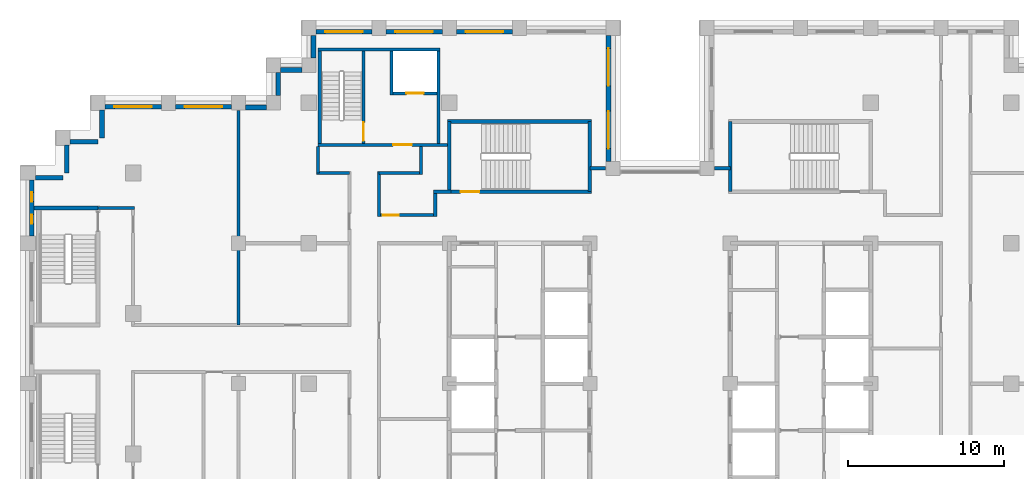
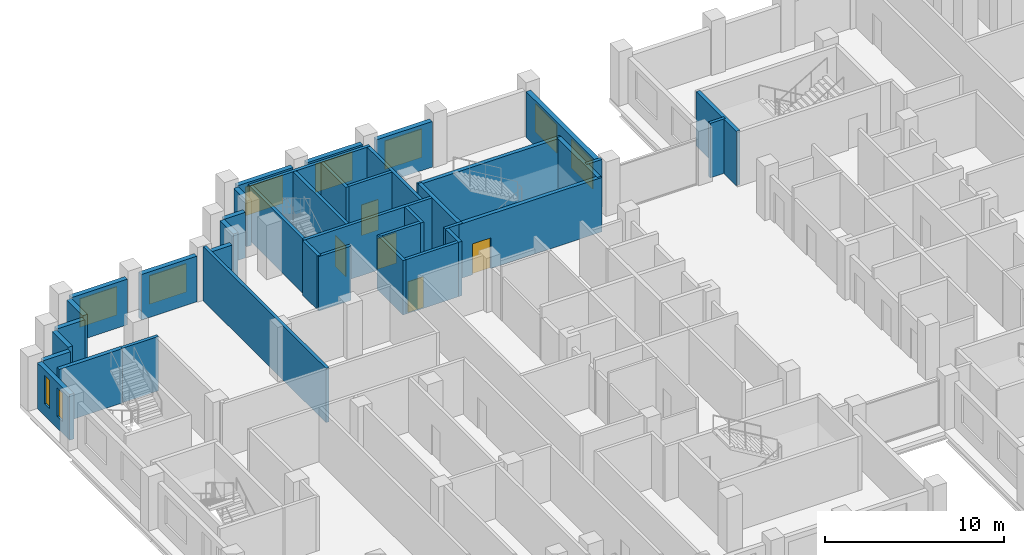
# One storey, part 10 of 15: 40 walls, 9 windows, 5 doors, 14 openings.
"""IFC4 building model written with IfcOpenShell, lengths in metres."""

from ifc_helpers import new_model, si_unit, direction, frame, frame_2d, origin, place, context, subcontext, project, spatial, rectangle, extrude, material, layer, layer_set, type_object, element, fill, save


model = new_model("IFC4")

# Units and contexts
model_context = context("Model", 3, precision=1e-05, world=origin(), true_north=direction((0.0, 1.0)))
body_context = subcontext(model_context, "Body", "Model", "MODEL_VIEW")
ifc_project = project(units=[si_unit("LENGTHUNIT", "METRE"), si_unit("AREAUNIT", "SQUARE_METRE"), si_unit("VOLUMEUNIT", "CUBIC_METRE"), si_unit("PLANEANGLEUNIT", "RADIAN"), si_unit("MASSUNIT", "GRAM", prefix="KILO")], contexts=[model_context])

# Site, building, storey
site_placement = place(None, origin())
site = spatial("IfcSite", under=ifc_project, at=site_placement, CompositionType="ELEMENT")
building_placement = place(site_placement, origin())
building = spatial("IfcBuilding", under=site, at=building_placement, Name="Corbelhall Arena Tower", CompositionType="ELEMENT")
storey_placement = place(building_placement, frame((0.0, 0.0, 220.0)))
storey = spatial("IfcBuildingStorey", under=building, at=storey_placement, Name="L46", CompositionType="ELEMENT", Elevation=220.0)

# Walls
ifc_material_1 = material(Name="Precast concrete C40/50 with granite facing", Category="masonry")
ifc_layer_1 = layer(ifc_material_1, 0.300048828125)
ifc_layer_set_1 = layer_set([ifc_layer_1], Name="EV-IW1 Infill panel 300")
wall_type_1 = type_object("IfcWallType", Name="EV-IW1 Infill panel 300", PredefinedType="SOLIDWALL", material=ifc_layer_set_1)
for number, where, z_axis, x_axis, name in (
    (1, (-35.75, 17.550048828125, 0.0), (0.0, 0.0, 1.0), (0.0, -1.0, 0.0), "Infill panel IW1"),
    (2, (-37.800048828125, 15.5, 0.0), (0.0, 0.0, 1.0), (1.0, 0.0, 0.0), "Infill panel IW1"),
    (3, (-38.0, 15.300048828125, 0.0), (0.0, 0.0, 1.0), (0.0, -1.0, 0.0), "Infill panel IW1"),
):
    element("IfcWall", number, at=place(storey_placement, frame(where, z_axis=z_axis, x_axis=x_axis)), inside=storey, type_object=wall_type_1, Name=name, PredefinedType="SOLIDWALL", context=body_context, shape_type="SweptSolid", body=[
        extrude(rectangle(XDim=1.800048828125, YDim=0.300048828125, at=frame_2d((0.89990234375, 0.0))), origin(), (0.0, 0.0, 1.0), 3.1201171875),
    ])
wall_1_placement = place(storey_placement, frame((-40.0, 13.199951171875, 0.0), z_axis=(0.0, 0.0, 1.0), x_axis=(1.0, 0.0, 0.0)))
element("IfcWall", 4, at=wall_1_placement, inside=storey, type_object=wall_type_1, Name="Infill panel IW1", PredefinedType="SOLIDWALL", context=body_context, shape_type="SweptSolid", body=[
    extrude(rectangle(XDim=1.75, YDim=0.300048828125, at=frame_2d((0.875, 0.0))), origin(), (0.0, 0.0, 1.0), 3.1201171875),
])
wall_2_placement = place(storey_placement, frame((-22.949951171875, 20.10009765625, 0.0), z_axis=(0.0, 0.0, 1.0), x_axis=(-1.0, 0.0, 0.0)))
element("IfcWall", 5, at=wall_2_placement, inside=storey, type_object=wall_type_1, Name="Infill panel IW1", PredefinedType="SOLIDWALL", context=body_context, shape_type="SweptSolid", body=[
    extrude(rectangle(XDim=1.35009765625, YDim=0.300048828125, at=frame_2d((0.675048828125, 0.0))), origin(), (0.0, 0.0, 1.0), 3.1201171875),
])
wall_3_placement = place(storey_placement, frame((-24.449951171875, 19.949951171875, 0.0), z_axis=(0.0, 0.0, 1.0), x_axis=(0.0, -1.0, 0.0)))
element("IfcWall", 6, at=wall_3_placement, inside=storey, type_object=wall_type_1, Name="Infill panel IW1", PredefinedType="SOLIDWALL", context=body_context, shape_type="SweptSolid", body=[
    extrude(rectangle(XDim=1.5, YDim=0.300048828125, at=frame_2d((0.75, 0.0))), origin(), (0.0, 0.0, 1.0), 3.1201171875),
])
wall_4_placement = place(storey_placement, frame((-25.199951171875, 17.699951171875, 0.0), z_axis=(0.0, 0.0, 1.0), x_axis=(-1.0, 0.0, 0.0)))
element("IfcWall", 7, at=wall_4_placement, inside=storey, type_object=wall_type_1, Name="Infill panel IW1", PredefinedType="SOLIDWALL", context=body_context, shape_type="SweptSolid", body=[
    extrude(rectangle(XDim=1.35009765625, YDim=0.300048828125, at=frame_2d((0.675048828125, 0.0))), origin(), (0.0, 0.0, 1.0), 3.1201171875),
])

# Wall, opening, window
wall_5_placement = place(storey_placement, frame((-27.449951171875, 17.75, 0.0), z_axis=(0.0, 0.0, 1.0), x_axis=(-1.0, 0.0, 0.0)))
wall_5 = element("IfcWall", 8, at=wall_5_placement, inside=storey, type_object=wall_type_1, Name="Infill panel IW1", PredefinedType="SOLIDWALL", context=body_context, shape_type="SweptSolid", body=[
    extrude(rectangle(XDim=3.60009765625, YDim=0.300048828125, at=frame_2d((1.800048828125, 0.0))), origin(), (0.0, 0.0, 1.0), 3.1201171875),
])
opening_1_placement = place(wall_5_placement, frame((0.60009765625, 0.0, 0.800048828125)))
opening_1 = element("IfcOpeningElement", 9, at=opening_1_placement, cuts=wall_5, Name="Opening WN1", PredefinedType="OPENING", context=body_context, shape_type="SweptSolid", body=[
    extrude(rectangle(XDim=2.39990234375, YDim=1.949951171875, at=frame_2d((1.199951171875, 0.97509765625))), frame((0.0, 0.14990234375, 0.0), z_axis=(0.0, -1.0, 0.0), x_axis=(1.0, 0.0, 0.0)), (0.0, 0.0, 1.0), 0.300048828125),
])
ifc_material_2 = material(Name="Aluminium black anodised", Category="aluminium")
window_type_1 = type_object("IfcWindowType", Name="EV-WN1 Office window", PartitioningType="SINGLE_PANEL", PredefinedType="WINDOW", material=ifc_material_2)
window_1_placement = place(opening_1_placement, origin())
window_1 = element("IfcWindow", 10, at=window_1_placement, inside=storey, type_object=window_type_1, Name="Window WN1", OverallHeight=1.949951171875, OverallWidth=2.39990234375, PartitioningType="SINGLE_PANEL", PredefinedType="WINDOW", context=body_context, shape_type="SweptSolid", body=[
    extrude(rectangle(XDim=2.39990234375, YDim=1.949951171875, at=frame_2d((1.199951171875, 0.97509765625))), frame((0.0, 0.030029296875, 0.0), z_axis=(0.0, -1.0, 0.0), x_axis=(1.0, 0.0, 0.0)), (0.0, 0.0, 1.0), 0.06005859375),
])
fill(opening_1, window_1)

wall_6_placement = place(storey_placement, frame((-31.949951171875, 17.75, 0.0), z_axis=(0.0, 0.0, 1.0), x_axis=(-1.0, 0.0, 0.0)))
wall_6 = element("IfcWall", 11, at=wall_6_placement, inside=storey, type_object=wall_type_1, Name="Infill panel IW1", PredefinedType="SOLIDWALL", context=body_context, shape_type="SweptSolid", body=[
    extrude(rectangle(XDim=3.60009765625, YDim=0.300048828125, at=frame_2d((1.800048828125, 0.0))), origin(), (0.0, 0.0, 1.0), 3.1201171875),
])
opening_2_placement = place(wall_6_placement, frame((0.60009765625, 0.0, 0.800048828125)))
opening_2 = element("IfcOpeningElement", 12, at=opening_2_placement, cuts=wall_6, Name="Opening WN1", PredefinedType="OPENING", context=body_context, shape_type="SweptSolid", body=[
    extrude(rectangle(XDim=2.39990234375, YDim=1.949951171875, at=frame_2d((1.199951171875, 0.97509765625))), frame((0.0, 0.14990234375, 0.0), z_axis=(0.0, -1.0, 0.0), x_axis=(1.0, 0.0, 0.0)), (0.0, 0.0, 1.0), 0.300048828125),
])
window_2_placement = place(opening_2_placement, origin())
window_2 = element("IfcWindow", 13, at=window_2_placement, inside=storey, type_object=window_type_1, Name="Window WN1", OverallHeight=1.949951171875, OverallWidth=2.39990234375, PartitioningType="SINGLE_PANEL", PredefinedType="WINDOW", context=body_context, shape_type="SweptSolid", body=[
    extrude(rectangle(XDim=2.39990234375, YDim=1.949951171875, at=frame_2d((1.199951171875, 0.97509765625))), frame((0.0, 0.030029296875, 0.0), z_axis=(0.0, -1.0, 0.0), x_axis=(1.0, 0.0, 0.0)), (0.0, 0.0, 1.0), 0.06005859375),
])
fill(opening_2, window_2)

# Wall, openings, windows
wall_7_placement = place(storey_placement, frame((-40.25, 13.050048828125, 0.0), z_axis=(0.0, 0.0, 1.0), x_axis=(0.0, -1.0, 0.0)))
wall_7 = element("IfcWall", 14, at=wall_7_placement, inside=storey, type_object=wall_type_1, Name="Infill panel IW1", PredefinedType="SOLIDWALL", context=body_context, shape_type="SweptSolid", body=[
    extrude(rectangle(XDim=3.60009765625, YDim=0.300048828125, at=frame_2d((1.800048828125, 0.0))), origin(), (0.0, 0.0, 1.0), 3.1201171875),
])
opening_3_placement = place(wall_7_placement, frame((0.78759765625, 0.0, 0.800048828125)))
opening_3 = element("IfcOpeningElement", 15, at=opening_3_placement, cuts=wall_7, Name="Opening WN5", PredefinedType="OPENING", context=body_context, shape_type="SweptSolid", body=[
    extrude(rectangle(XDim=0.60009765625, YDim=1.949951171875, at=frame_2d((0.300048828125, 0.97509765625))), frame((0.0, 0.14990234375, 0.0), z_axis=(0.0, -1.0, 0.0), x_axis=(1.0, 0.0, 0.0)), (0.0, 0.0, 1.0), 0.300048828125),
])
opening_4_placement = place(wall_7_placement, frame((2.21240234375, 0.0, 0.800048828125)))
opening_4 = element("IfcOpeningElement", 16, at=opening_4_placement, cuts=wall_7, Name="Opening WN5", PredefinedType="OPENING", context=body_context, shape_type="SweptSolid", body=[
    extrude(rectangle(XDim=0.60009765625, YDim=1.949951171875, at=frame_2d((0.300048828125, 0.97509765625))), frame((0.0, 0.14990234375, 0.0), z_axis=(0.0, -1.0, 0.0), x_axis=(1.0, 0.0, 0.0)), (0.0, 0.0, 1.0), 0.300048828125),
])
window_type_2 = type_object("IfcWindowType", Name="EV-WN5 Office window 600", PartitioningType="SINGLE_PANEL", PredefinedType="WINDOW", material=ifc_material_2)
window_3_placement = place(opening_3_placement, origin())
window_3 = element("IfcWindow", 17, at=window_3_placement, inside=storey, type_object=window_type_2, Name="Window WN5", OverallHeight=1.949951171875, OverallWidth=0.60009765625, PartitioningType="SINGLE_PANEL", PredefinedType="WINDOW", context=body_context, shape_type="SweptSolid", body=[
    extrude(rectangle(XDim=0.60009765625, YDim=1.949951171875, at=frame_2d((0.300048828125, 0.97509765625))), frame((0.0, 0.030029296875, 0.0), z_axis=(0.0, -1.0, 0.0), x_axis=(1.0, 0.0, 0.0)), (0.0, 0.0, 1.0), 0.06005859375),
])
fill(opening_3, window_3)
window_4_placement = place(opening_4_placement, origin())
window_4 = element("IfcWindow", 18, at=window_4_placement, inside=storey, type_object=window_type_2, Name="Window WN5", OverallHeight=1.949951171875, OverallWidth=0.60009765625, PartitioningType="SINGLE_PANEL", PredefinedType="WINDOW", context=body_context, shape_type="SweptSolid", body=[
    extrude(rectangle(XDim=0.60009765625, YDim=1.949951171875, at=frame_2d((0.300048828125, 0.97509765625))), frame((0.0, 0.030029296875, 0.0), z_axis=(0.0, -1.0, 0.0), x_axis=(1.0, 0.0, 0.0)), (0.0, 0.0, 1.0), 0.06005859375),
])
fill(opening_4, window_4)

wall_8_placement = place(storey_placement, frame((-3.300048828125, 14.25, 0.0), z_axis=(0.0, 0.0, 1.0), x_axis=(0.0, 1.0, 0.0)))
wall_8 = element("IfcWall", 19, at=wall_8_placement, inside=storey, type_object=wall_type_1, Name="Infill panel IW1", PredefinedType="SOLIDWALL", context=body_context, shape_type="SweptSolid", body=[
    extrude(rectangle(XDim=8.050048828125, YDim=0.300048828125, at=frame_2d((4.02490234375, 0.0))), origin(), (0.0, 0.0, 1.0), 3.1201171875),
])
opening_5_placement = place(wall_8_placement, frame((0.8125, 0.0, 0.800048828125)))
opening_5 = element("IfcOpeningElement", 20, at=opening_5_placement, cuts=wall_8, Name="Opening WN1", PredefinedType="OPENING", context=body_context, shape_type="SweptSolid", body=[
    extrude(rectangle(XDim=2.39990234375, YDim=1.949951171875, at=frame_2d((1.199951171875, 0.97509765625))), frame((0.0, 0.14990234375, 0.0), z_axis=(0.0, -1.0, 0.0), x_axis=(1.0, 0.0, 0.0)), (0.0, 0.0, 1.0), 0.300048828125),
])
opening_6_placement = place(wall_8_placement, frame((4.83740234375, 0.0, 0.800048828125)))
opening_6 = element("IfcOpeningElement", 21, at=opening_6_placement, cuts=wall_8, Name="Opening WN1", PredefinedType="OPENING", context=body_context, shape_type="SweptSolid", body=[
    extrude(rectangle(XDim=2.39990234375, YDim=1.949951171875, at=frame_2d((1.199951171875, 0.97509765625))), frame((0.0, 0.14990234375, 0.0), z_axis=(0.0, -1.0, 0.0), x_axis=(1.0, 0.0, 0.0)), (0.0, 0.0, 1.0), 0.300048828125),
])
window_5_placement = place(opening_5_placement, origin())
window_5 = element("IfcWindow", 22, at=window_5_placement, inside=storey, type_object=window_type_1, Name="Window WN1", OverallHeight=1.949951171875, OverallWidth=2.39990234375, PartitioningType="SINGLE_PANEL", PredefinedType="WINDOW", context=body_context, shape_type="SweptSolid", body=[
    extrude(rectangle(XDim=2.39990234375, YDim=1.949951171875, at=frame_2d((1.199951171875, 0.97509765625))), frame((0.0, 0.030029296875, 0.0), z_axis=(0.0, -1.0, 0.0), x_axis=(1.0, 0.0, 0.0)), (0.0, 0.0, 1.0), 0.06005859375),
])
fill(opening_5, window_5)
window_6_placement = place(opening_6_placement, origin())
window_6 = element("IfcWindow", 23, at=window_6_placement, inside=storey, type_object=window_type_1, Name="Window WN1", OverallHeight=1.949951171875, OverallWidth=2.39990234375, PartitioningType="SINGLE_PANEL", PredefinedType="WINDOW", context=body_context, shape_type="SweptSolid", body=[
    extrude(rectangle(XDim=2.39990234375, YDim=1.949951171875, at=frame_2d((1.199951171875, 0.97509765625))), frame((0.0, 0.030029296875, 0.0), z_axis=(0.0, -1.0, 0.0), x_axis=(1.0, 0.0, 0.0)), (0.0, 0.0, 1.0), 0.06005859375),
])
fill(opening_6, window_6)

# Wall, opening, window
wall_9_placement = place(storey_placement, frame((-9.449951171875, 22.550048828125, 0.0), z_axis=(0.0, 0.0, 1.0), x_axis=(-1.0, 0.0, 0.0)))
wall_9 = element("IfcWall", 24, at=wall_9_placement, inside=storey, type_object=wall_type_1, Name="Infill panel IW1", PredefinedType="SOLIDWALL", context=body_context, shape_type="SweptSolid", body=[
    extrude(rectangle(XDim=3.60009765625, YDim=0.300048828125, at=frame_2d((1.800048828125, 0.0))), origin(), (0.0, 0.0, 1.0), 3.1201171875),
])
opening_7_placement = place(wall_9_placement, frame((0.60009765625, 0.0, 0.800048828125)))
opening_7 = element("IfcOpeningElement", 25, at=opening_7_placement, cuts=wall_9, Name="Opening WN1", PredefinedType="OPENING", context=body_context, shape_type="SweptSolid", body=[
    extrude(rectangle(XDim=2.39990234375, YDim=1.949951171875, at=frame_2d((1.199951171875, 0.97509765625))), frame((0.0, 0.14990234375, 0.0), z_axis=(0.0, -1.0, 0.0), x_axis=(1.0, 0.0, 0.0)), (0.0, 0.0, 1.0), 0.300048828125),
])
window_7_placement = place(opening_7_placement, origin())
window_7 = element("IfcWindow", 26, at=window_7_placement, inside=storey, type_object=window_type_1, Name="Window WN1", OverallHeight=1.949951171875, OverallWidth=2.39990234375, PartitioningType="SINGLE_PANEL", PredefinedType="WINDOW", context=body_context, shape_type="SweptSolid", body=[
    extrude(rectangle(XDim=2.39990234375, YDim=1.949951171875, at=frame_2d((1.199951171875, 0.97509765625))), frame((0.0, 0.030029296875, 0.0), z_axis=(0.0, -1.0, 0.0), x_axis=(1.0, 0.0, 0.0)), (0.0, 0.0, 1.0), 0.06005859375),
])
fill(opening_7, window_7)

wall_10_placement = place(storey_placement, frame((-13.949951171875, 22.550048828125, 0.0), z_axis=(0.0, 0.0, 1.0), x_axis=(-1.0, 0.0, 0.0)))
wall_10 = element("IfcWall", 27, at=wall_10_placement, inside=storey, type_object=wall_type_1, Name="Infill panel IW1", PredefinedType="SOLIDWALL", context=body_context, shape_type="SweptSolid", body=[
    extrude(rectangle(XDim=3.60009765625, YDim=0.300048828125, at=frame_2d((1.800048828125, 0.0))), origin(), (0.0, 0.0, 1.0), 3.1201171875),
])
opening_8_placement = place(wall_10_placement, frame((0.60009765625, 0.0, 0.800048828125)))
opening_8 = element("IfcOpeningElement", 28, at=opening_8_placement, cuts=wall_10, Name="Opening WN1", PredefinedType="OPENING", context=body_context, shape_type="SweptSolid", body=[
    extrude(rectangle(XDim=2.39990234375, YDim=1.949951171875, at=frame_2d((1.199951171875, 0.97509765625))), frame((0.0, 0.14990234375, 0.0), z_axis=(0.0, -1.0, 0.0), x_axis=(1.0, 0.0, 0.0)), (0.0, 0.0, 1.0), 0.300048828125),
])
window_8_placement = place(opening_8_placement, origin())
window_8 = element("IfcWindow", 29, at=window_8_placement, inside=storey, type_object=window_type_1, Name="Window WN1", OverallHeight=1.949951171875, OverallWidth=2.39990234375, PartitioningType="SINGLE_PANEL", PredefinedType="WINDOW", context=body_context, shape_type="SweptSolid", body=[
    extrude(rectangle(XDim=2.39990234375, YDim=1.949951171875, at=frame_2d((1.199951171875, 0.97509765625))), frame((0.0, 0.030029296875, 0.0), z_axis=(0.0, -1.0, 0.0), x_axis=(1.0, 0.0, 0.0)), (0.0, 0.0, 1.0), 0.06005859375),
])
fill(opening_8, window_8)

wall_11_placement = place(storey_placement, frame((-18.449951171875, 22.550048828125, 0.0), z_axis=(0.0, 0.0, 1.0), x_axis=(-1.0, 0.0, 0.0)))
wall_11 = element("IfcWall", 30, at=wall_11_placement, inside=storey, type_object=wall_type_1, Name="Infill panel IW1", PredefinedType="SOLIDWALL", context=body_context, shape_type="SweptSolid", body=[
    extrude(rectangle(XDim=3.60009765625, YDim=0.300048828125, at=frame_2d((1.800048828125, 0.0))), origin(), (0.0, 0.0, 1.0), 3.1201171875),
])
opening_9_placement = place(wall_11_placement, frame((0.60009765625, 0.0, 0.800048828125)))
opening_9 = element("IfcOpeningElement", 31, at=opening_9_placement, cuts=wall_11, Name="Opening WN1", PredefinedType="OPENING", context=body_context, shape_type="SweptSolid", body=[
    extrude(rectangle(XDim=2.39990234375, YDim=1.949951171875, at=frame_2d((1.199951171875, 0.97509765625))), frame((0.0, 0.14990234375, 0.0), z_axis=(0.0, -1.0, 0.0), x_axis=(1.0, 0.0, 0.0)), (0.0, 0.0, 1.0), 0.300048828125),
])
window_9_placement = place(opening_9_placement, origin())
window_9 = element("IfcWindow", 32, at=window_9_placement, inside=storey, type_object=window_type_1, Name="Window WN1", OverallHeight=1.949951171875, OverallWidth=2.39990234375, PartitioningType="SINGLE_PANEL", PredefinedType="WINDOW", context=body_context, shape_type="SweptSolid", body=[
    extrude(rectangle(XDim=2.39990234375, YDim=1.949951171875, at=frame_2d((1.199951171875, 0.97509765625))), frame((0.0, 0.030029296875, 0.0), z_axis=(0.0, -1.0, 0.0), x_axis=(1.0, 0.0, 0.0)), (0.0, 0.0, 1.0), 0.06005859375),
])
fill(opening_9, window_9)

# Walls
wall_12_placement = place(storey_placement, frame((-22.199951171875, 22.300048828125, 0.0), z_axis=(0.0, 0.0, 1.0), x_axis=(0.0, -1.0, 0.0)))
element("IfcWall", 33, at=wall_12_placement, inside=storey, type_object=wall_type_1, Name="Infill panel IW1", PredefinedType="SOLIDWALL", context=body_context, shape_type="SweptSolid", body=[
    extrude(rectangle(XDim=1.449951171875, YDim=0.300048828125, at=frame_2d((0.72509765625, 0.0))), origin(), (0.0, 0.0, 1.0), 3.1201171875),
])
ifc_material_3 = material(Name="Gypsum board on steel stud, acoustic", Category="steel")
ifc_layer_2 = layer(ifc_material_3, 0.199951171875)
ifc_layer_set_2 = layer_set([ifc_layer_2], Name="IN-W-DM200")
wall_type_2 = type_object("IfcWallType", Name="IN-W-DM200", PredefinedType="PARTITIONING", material=ifc_layer_set_2)
wall_13_placement = place(storey_placement, frame((-36.0, 11.25, 0.0), z_axis=(0.0, 0.0, 1.0), x_axis=(1.0, 0.0, 0.0)))
element("IfcWall", 34, at=wall_13_placement, inside=storey, type_object=wall_type_2, Name="Partition 001", PredefinedType="PARTITIONING", context=body_context, shape_type="SweptSolid", body=[
    extrude(rectangle(XDim=2.35009765625, YDim=0.199951171875, at=frame_2d((1.175048828125, 0.0))), origin(), (0.0, 0.0, 1.0), 3.719970703125),
])
wall_14_placement = place(storey_placement, frame((-27.0, 3.75, 0.0), z_axis=(0.0, 0.0, 1.0), x_axis=(0.0, 1.0, 0.0)))
element("IfcWall", 35, at=wall_14_placement, inside=storey, type_object=wall_type_2, Name="Partition 011", PredefinedType="PARTITIONING", context=body_context, shape_type="SweptSolid", body=[
    extrude(rectangle(XDim=13.75, YDim=0.199951171875, at=frame_2d((6.875, 0.0))), origin(), (0.0, 0.0, 1.0), 3.719970703125),
])
wall_15_placement = place(storey_placement, frame((-21.89990234375, 13.5, 0.0), z_axis=(0.0, 0.0, 1.0), x_axis=(0.0, 1.0, 0.0)))
element("IfcWall", 36, at=wall_15_placement, inside=storey, type_object=wall_type_2, Name="Partition 013", PredefinedType="PARTITIONING", context=body_context, shape_type="SweptSolid", body=[
    extrude(rectangle(XDim=1.699951171875, YDim=0.199951171875, at=frame_2d((0.85009765625, 0.0))), origin(), (0.0, 0.0, 1.0), 3.719970703125),
])
wall_16_placement = place(storey_placement, frame((-19.89990234375, 13.5, 0.0), z_axis=(0.0, 0.0, 1.0), x_axis=(-1.0, 0.0, 0.0)))
element("IfcWall", 37, at=wall_16_placement, inside=storey, type_object=wall_type_2, Name="Partition 016", PredefinedType="PARTITIONING", context=body_context, shape_type="SweptSolid", body=[
    extrude(rectangle(XDim=2.10009765625, YDim=0.199951171875, at=frame_2d((1.050048828125, 0.0))), origin(), (0.0, 0.0, 1.0), 3.719970703125),
])

# Wall, opening, door
wall_17_placement = place(storey_placement, frame((-18.0, 10.800048828125, 0.0), z_axis=(0.0, 0.0, 1.0), x_axis=(1.0, 0.0, 0.0)))
wall_17 = element("IfcWall", 38, at=wall_17_placement, inside=storey, type_object=wall_type_2, Name="Partition 021", PredefinedType="PARTITIONING", context=body_context, shape_type="SweptSolid", body=[
    extrude(rectangle(XDim=3.60009765625, YDim=0.199951171875, at=frame_2d((1.800048828125, 0.0))), origin(), (0.0, 0.0, 1.0), 3.719970703125),
])
opening_10_placement = place(wall_17_placement, frame((0.25, 0.0, 0.0)))
opening_10 = element("IfcOpeningElement", 39, at=opening_10_placement, cuts=wall_17, Name="Opening 14028", PredefinedType="OPENING", context=body_context, shape_type="SweptSolid", body=[
    extrude(rectangle(XDim=1.0, YDim=2.10009765625, at=frame_2d((0.5, 1.050048828125))), frame((0.0, 0.10009765625, 0.0), z_axis=(0.0, -1.0, 0.0), x_axis=(1.0, 0.0, 0.0)), (0.0, 0.0, 1.0), 0.199951171875),
])
ifc_material_4 = material(Name="Steel door set", Category="steel")
door_type_1 = type_object("IfcDoorType", Name="IN-D-SW100", OperationType="NOTDEFINED", PredefinedType="DOOR", material=ifc_material_4)
door_1_placement = place(opening_10_placement, origin())
door_1 = element("IfcDoor", 40, at=door_1_placement, inside=storey, type_object=door_type_1, Name="Door 028", OperationType="SINGLE_SWING_LEFT", OverallHeight=2.10009765625, OverallWidth=1.0, PredefinedType="DOOR", context=body_context, shape_type="SweptSolid", body=[
    extrude(rectangle(XDim=1.0, YDim=2.10009765625, at=frame_2d((0.5, 1.050048828125))), frame((0.0, 0.02490234375, 0.0), z_axis=(0.0, -1.0, 0.0), x_axis=(1.0, 0.0, 0.0)), (0.0, 0.0, 1.0), 0.050048828125),
])
fill(opening_10, door_1)

# Walls
wall_18_placement = place(storey_placement, frame((-18.0, 13.60009765625, 0.0), z_axis=(0.0, 0.0, 1.0), x_axis=(0.0, -1.0, 0.0)))
element("IfcWall", 41, at=wall_18_placement, inside=storey, type_object=wall_type_2, Name="Partition 022", PredefinedType="PARTITIONING", context=body_context, shape_type="SweptSolid", body=[
    extrude(rectangle(XDim=2.900146484375, YDim=0.199951171875, at=frame_2d((1.4501953125, 0.0))), origin(), (0.0, 0.0, 1.0), 3.719970703125),
])
wall_19_placement = place(storey_placement, frame((-15.300048828125, 13.5, 0.0), z_axis=(0.0, 0.0, 1.0), x_axis=(-1.0, 0.0, 0.0)))
element("IfcWall", 42, at=wall_19_placement, inside=storey, type_object=wall_type_2, Name="Partition 023", PredefinedType="PARTITIONING", context=body_context, shape_type="SweptSolid", body=[
    extrude(rectangle(XDim=2.699951171875, YDim=0.199951171875, at=frame_2d((1.35009765625, 0.0))), origin(), (0.0, 0.0, 1.0), 3.719970703125),
])
wall_20_placement = place(storey_placement, frame((-15.300048828125, 15.199951171875, 0.0), z_axis=(0.0, 0.0, 1.0), x_axis=(0.0, -1.0, 0.0)))
element("IfcWall", 43, at=wall_20_placement, inside=storey, type_object=wall_type_2, Name="Partition 024", PredefinedType="PARTITIONING", context=body_context, shape_type="SweptSolid", body=[
    extrude(rectangle(XDim=1.800048828125, YDim=0.199951171875, at=frame_2d((0.89990234375, 0.0))), origin(), (0.0, 0.0, 1.0), 3.719970703125),
])
wall_21_placement = place(storey_placement, frame((-14.5, 12.300048828125, 0.0), z_axis=(0.0, 0.0, 1.0), x_axis=(1.0, 0.0, 0.0)))
element("IfcWall", 44, at=wall_21_placement, inside=storey, type_object=wall_type_2, Name="Partition 025", PredefinedType="PARTITIONING", context=body_context, shape_type="SweptSolid", body=[
    extrude(rectangle(XDim=1.125, YDim=0.199951171875, at=frame_2d((0.5625, 0.0))), origin(), (0.0, 0.0, 1.0), 3.719970703125),
])
wall_22_placement = place(storey_placement, frame((-14.39990234375, 10.699951171875, 0.0), z_axis=(0.0, 0.0, 1.0), x_axis=(0.0, 1.0, 0.0)))
element("IfcWall", 45, at=wall_22_placement, inside=storey, type_object=wall_type_2, Name="Partition 029", PredefinedType="PARTITIONING", context=body_context, shape_type="SweptSolid", body=[
    extrude(rectangle(XDim=1.60009765625, YDim=0.199951171875, at=frame_2d((0.800048828125, 0.0))), origin(), (0.0, 0.0, 1.0), 3.719970703125),
])
for number, where, z_axis, x_axis, name in (
    (46, (-4.5, 13.800048828125, 0.0), (0.0, 0.0, 1.0), (1.0, 0.0, 0.0), "Partition 031"),
    (47, (3.5, 13.800048828125, 0.0), (0.0, 0.0, 1.0), (1.0, 0.0, 0.0), "Partition 033"),
):
    element("IfcWall", number, at=place(storey_placement, frame(where, z_axis=z_axis, x_axis=x_axis)), inside=storey, type_object=wall_type_2, Name=name, PredefinedType="PARTITIONING", context=body_context, shape_type="SweptSolid", body=[
        extrude(rectangle(XDim=1.0, YDim=0.199951171875, at=frame_2d((0.5, 0.0))), origin(), (0.0, 0.0, 1.0), 3.719970703125),
    ])

# Wall, opening, door
ifc_material_5 = material(Name="Concrete C40/50", Category="concrete")
ifc_layer_3 = layer(ifc_material_5, 0.199951171875)
ifc_layer_set_3 = layer_set([ifc_layer_3], Name="IN-W-EAR200")
wall_type_3 = type_object("IfcWallType", Name="IN-W-EAR200", PredefinedType="SOLIDWALL", material=ifc_layer_set_3)
wall_23_placement = place(storey_placement, frame((-21.89990234375, 15.300048828125, 0.0), z_axis=(0.0, 0.0, 1.0), x_axis=(1.0, 0.0, 0.0)))
wall_23 = element("IfcWall", 48, at=wall_23_placement, inside=storey, type_object=wall_type_3, Name="Fire service turret wall south", PredefinedType="SOLIDWALL", context=body_context, shape_type="SweptSolid", body=[
    extrude(rectangle(XDim=8.27490234375, YDim=0.199951171875, at=frame_2d((4.137451171875, 0.0))), origin(), (0.0, 0.0, 1.0), 3.719970703125),
])
opening_11_placement = place(wall_23_placement, frame((4.800048828125, 0.0, 0.0)))
opening_11 = element("IfcOpeningElement", 49, at=opening_11_placement, cuts=wall_23, Name="Opening E142", PredefinedType="OPENING", context=body_context, shape_type="SweptSolid", body=[
    extrude(rectangle(XDim=1.199951171875, YDim=2.10009765625, at=frame_2d((0.60009765625, 1.050048828125))), frame((0.0, 0.10009765625, 0.0), z_axis=(0.0, -1.0, 0.0), x_axis=(1.0, 0.0, 0.0)), (0.0, 0.0, 1.0), 0.199951171875),
])
door_type_2 = type_object("IfcDoorType", Name="IN-D-ST120", OperationType="NOTDEFINED", PredefinedType="DOOR", material=ifc_material_4)
door_2_placement = place(opening_11_placement, origin())
door_2 = element("IfcDoor", 50, at=door_2_placement, inside=storey, type_object=door_type_2, Name="Door from fire service lift lobby to circulation", OperationType="SINGLE_SWING_RIGHT", OverallHeight=2.10009765625, OverallWidth=1.199951171875, PredefinedType="DOOR", context=body_context, shape_type="SweptSolid", body=[
    extrude(rectangle(XDim=1.199951171875, YDim=2.10009765625, at=frame_2d((0.60009765625, 1.050048828125))), frame((0.0, 0.02490234375, 0.0), z_axis=(0.0, -1.0, 0.0), x_axis=(1.0, 0.0, 0.0)), (0.0, 0.0, 1.0), 0.050048828125),
])
fill(opening_11, door_2)

# Walls
wall_24_placement = place(storey_placement, frame((-21.89990234375, 21.39990234375, 0.0), z_axis=(0.0, 0.0, 1.0), x_axis=(1.0, 0.0, 0.0)))
element("IfcWall", 51, at=wall_24_placement, inside=storey, type_object=wall_type_3, Name="Fire service turret wall north", PredefinedType="SOLIDWALL", context=body_context, shape_type="SweptSolid", body=[
    extrude(rectangle(XDim=7.7998046875, YDim=0.199951171875, at=frame_2d((3.89990234375, 0.0))), origin(), (0.0, 0.0, 1.0), 3.719970703125),
])
for number, where, z_axis, x_axis, name in (
    (52, (-21.800048828125, 15.39990234375, 0.0), (0.0, 0.0, 1.0), (0.0, 1.0, 0.0), "Fire service turret wall west"),
    (53, (-14.199951171875, 15.39990234375, 0.0), (0.0, 0.0, 1.0), (0.0, 1.0, 0.0), "Fire service turret wall east"),
):
    element("IfcWall", number, at=place(storey_placement, frame(where, z_axis=z_axis, x_axis=x_axis)), inside=storey, type_object=wall_type_3, Name=name, PredefinedType="SOLIDWALL", context=body_context, shape_type="SweptSolid", body=[
        extrude(rectangle(XDim=5.900146484375, YDim=0.199951171875, at=frame_2d((2.9501953125, 0.0))), origin(), (0.0, 0.0, 1.0), 3.719970703125),
    ])

# Wall, opening, door
wall_25_placement = place(storey_placement, frame((-18.989990234375, 15.39990234375, 0.0), z_axis=(0.0, 0.0, 1.0), x_axis=(0.0, 1.0, 0.0)))
wall_25 = element("IfcWall", 54, at=wall_25_placement, inside=storey, type_object=wall_type_3, Name="Fire service turret wall stair", PredefinedType="SOLIDWALL", context=body_context, shape_type="SweptSolid", body=[
    extrude(rectangle(XDim=5.900146484375, YDim=0.199951171875, at=frame_2d((2.9501953125, 0.0))), origin(), (0.0, 0.0, 1.0), 3.719970703125),
])
opening_12_placement = place(wall_25_placement, frame((0.14990234375, 0.0, 0.0)))
opening_12 = element("IfcOpeningElement", 55, at=opening_12_placement, cuts=wall_25, Name="Opening E141", PredefinedType="OPENING", context=body_context, shape_type="SweptSolid", body=[
    extrude(rectangle(XDim=1.199951171875, YDim=2.10009765625, at=frame_2d((0.60009765625, 1.050048828125))), frame((0.0, 0.10009765625, 0.0), z_axis=(0.0, -1.0, 0.0), x_axis=(1.0, 0.0, 0.0)), (0.0, 0.0, 1.0), 0.199951171875),
])
door_3_placement = place(opening_12_placement, origin())
door_3 = element("IfcDoor", 56, at=door_3_placement, inside=storey, type_object=door_type_2, Name="Stair door to fire service lobby", OperationType="SINGLE_SWING_LEFT", OverallHeight=2.10009765625, OverallWidth=1.199951171875, PredefinedType="DOOR", context=body_context, shape_type="SweptSolid", body=[
    extrude(rectangle(XDim=1.199951171875, YDim=2.10009765625, at=frame_2d((0.60009765625, 1.050048828125))), frame((0.0, 0.02490234375, 0.0), z_axis=(0.0, -1.0, 0.0), x_axis=(1.0, 0.0, 0.0)), (0.0, 0.0, 1.0), 0.050048828125),
])
fill(opening_12, door_3)

# Wall
wall_26_placement = place(storey_placement, frame((-17.199951171875, 18.5, 0.0), z_axis=(0.0, 0.0, 1.0), x_axis=(0.0, 1.0, 0.0)))
element("IfcWall", 57, at=wall_26_placement, inside=storey, type_object=wall_type_3, Name="Fire service turret wall hoistway west", PredefinedType="SOLIDWALL", context=body_context, shape_type="SweptSolid", body=[
    extrude(rectangle(XDim=2.800048828125, YDim=0.199951171875, at=frame_2d((1.39990234375, 0.0))), origin(), (0.0, 0.0, 1.0), 3.719970703125),
])

# Wall, opening, door
wall_27_placement = place(storey_placement, frame((-17.10009765625, 18.60009765625, 0.0), z_axis=(0.0, 0.0, 1.0), x_axis=(1.0, 0.0, 0.0)))
wall_27 = element("IfcWall", 58, at=wall_27_placement, inside=storey, type_object=wall_type_3, Name="Fire service turret wall hoistway south", PredefinedType="SOLIDWALL", context=body_context, shape_type="SweptSolid", body=[
    extrude(rectangle(XDim=2.800048828125, YDim=0.199951171875, at=frame_2d((1.39990234375, 0.0))), origin(), (0.0, 0.0, 1.0), 3.719970703125),
])
opening_13_placement = place(wall_27_placement, frame((0.85009765625, 0.0, 0.0)))
opening_13 = element("IfcOpeningElement", 59, at=opening_13_placement, cuts=wall_27, Name="Opening LD", PredefinedType="OPENING", context=body_context, shape_type="SweptSolid", body=[
    extrude(rectangle(XDim=1.10009765625, YDim=2.10009765625, at=frame_2d((0.550048828125, 1.050048828125))), frame((0.0, 0.10009765625, 0.0), z_axis=(0.0, -1.0, 0.0), x_axis=(1.0, 0.0, 0.0)), (0.0, 0.0, 1.0), 0.199951171875),
])
door_type_3 = type_object("IfcDoorType", Name="IN-D-LD110", OperationType="NOTDEFINED", PredefinedType="DOOR", material=ifc_material_4)
door_4_placement = place(opening_13_placement, origin())
door_4 = element("IfcDoor", 60, at=door_4_placement, inside=storey, type_object=door_type_3, Name="Landing door FS1", OperationType="SLIDING_TO_LEFT", OverallHeight=2.10009765625, OverallWidth=1.10009765625, PredefinedType="DOOR", context=body_context, shape_type="SweptSolid", body=[
    extrude(rectangle(XDim=1.10009765625, YDim=2.10009765625, at=frame_2d((0.550048828125, 1.050048828125))), frame((0.0, 0.02490234375, 0.0), z_axis=(0.0, -1.0, 0.0), x_axis=(1.0, 0.0, 0.0)), (0.0, 0.0, 1.0), 0.050048828125),
])
fill(opening_13, door_4)

# Wall
ifc_layer_4 = layer(ifc_material_5, 0.25)
ifc_layer_set_4 = layer_set([ifc_layer_4], Name="IN-W-ST250")
wall_type_4 = type_object("IfcWallType", Name="IN-W-ST250", PredefinedType="SOLIDWALL", material=ifc_layer_set_4)
wall_28_placement = place(storey_placement, frame((-40.10009765625, 11.25, 0.0), z_axis=(0.0, 0.0, 1.0), x_axis=(1.0, 0.0, 0.0)))
element("IfcWall", 61, at=wall_28_placement, inside=storey, type_object=wall_type_4, Name="Shaft wall 096", PredefinedType="SOLIDWALL", context=body_context, shape_type="SweptSolid", body=[
    extrude(rectangle(XDim=4.10009765625, YDim=0.25, at=frame_2d((2.050048828125, 0.0))), origin(), (0.0, 0.0, 1.0), 3.719970703125),
])

# Wall, opening, door
wall_29_placement = place(storey_placement, frame((-13.625, 12.300048828125, 0.0), z_axis=(0.0, 0.0, 1.0), x_axis=(1.0, 0.0, 0.0)))
wall_29 = element("IfcWall", 62, at=wall_29_placement, inside=storey, type_object=wall_type_4, Name="Shaft wall 101", PredefinedType="SOLIDWALL", context=body_context, shape_type="SweptSolid", body=[
    extrude(rectangle(XDim=9.25, YDim=0.25, at=frame_2d((4.625, 0.0))), origin(), (0.0, 0.0, 1.0), 3.719970703125),
])
opening_14_placement = place(wall_29_placement, frame((0.85009765625, 0.0, 0.0)))
opening_14 = element("IfcOpeningElement", 63, at=opening_14_placement, cuts=wall_29, Name="Opening 14018", PredefinedType="OPENING", context=body_context, shape_type="SweptSolid", body=[
    extrude(rectangle(XDim=1.199951171875, YDim=2.10009765625, at=frame_2d((0.60009765625, 1.050048828125))), frame((0.0, 0.125, 0.0), z_axis=(0.0, -1.0, 0.0), x_axis=(1.0, 0.0, 0.0)), (0.0, 0.0, 1.0), 0.25),
])
door_5_placement = place(opening_14_placement, origin())
door_5 = element("IfcDoor", 64, at=door_5_placement, inside=storey, type_object=door_type_2, Name="Door 018", OperationType="SINGLE_SWING_LEFT", OverallHeight=2.10009765625, OverallWidth=1.199951171875, PredefinedType="DOOR", context=body_context, shape_type="SweptSolid", body=[
    extrude(rectangle(XDim=1.199951171875, YDim=2.10009765625, at=frame_2d((0.60009765625, 1.050048828125))), frame((0.0, 0.02490234375, 0.0), z_axis=(0.0, -1.0, 0.0), x_axis=(1.0, 0.0, 0.0)), (0.0, 0.0, 1.0), 0.050048828125),
])
fill(opening_14, door_5)

# Walls
wall_30_placement = place(storey_placement, frame((-13.625, 16.800048828125, 0.0), z_axis=(0.0, 0.0, 1.0), x_axis=(1.0, 0.0, 0.0)))
element("IfcWall", 65, at=wall_30_placement, inside=storey, type_object=wall_type_4, Name="Shaft wall 102", PredefinedType="SOLIDWALL", context=body_context, shape_type="SweptSolid", body=[
    extrude(rectangle(XDim=9.25, YDim=0.25, at=frame_2d((4.625, 0.0))), origin(), (0.0, 0.0, 1.0), 3.719970703125),
])
for number, where, z_axis, x_axis, name in (
    (66, (-13.5, 12.300048828125, 0.0), (0.0, 0.0, 1.0), (0.0, 1.0, 0.0), "Shaft wall 104"),
    (67, (-4.5, 16.800048828125, 0.0), (0.0, 0.0, 1.0), (0.0, -1.0, 0.0), "Shaft wall 107"),
    (68, (4.5, 12.300048828125, 0.0), (0.0, 0.0, 1.0), (0.0, 1.0, 0.0), "Shaft wall 112"),
):
    element("IfcWall", number, at=place(storey_placement, frame(where, z_axis=z_axis, x_axis=x_axis)), inside=storey, type_object=wall_type_4, Name=name, PredefinedType="SOLIDWALL", context=body_context, shape_type="SweptSolid", body=[
        extrude(rectangle(XDim=4.5, YDim=0.25, at=frame_2d((2.25, 0.0))), origin(), (0.0, 0.0, 1.0), 3.719970703125),
    ])

save(model, "model.ifc")
